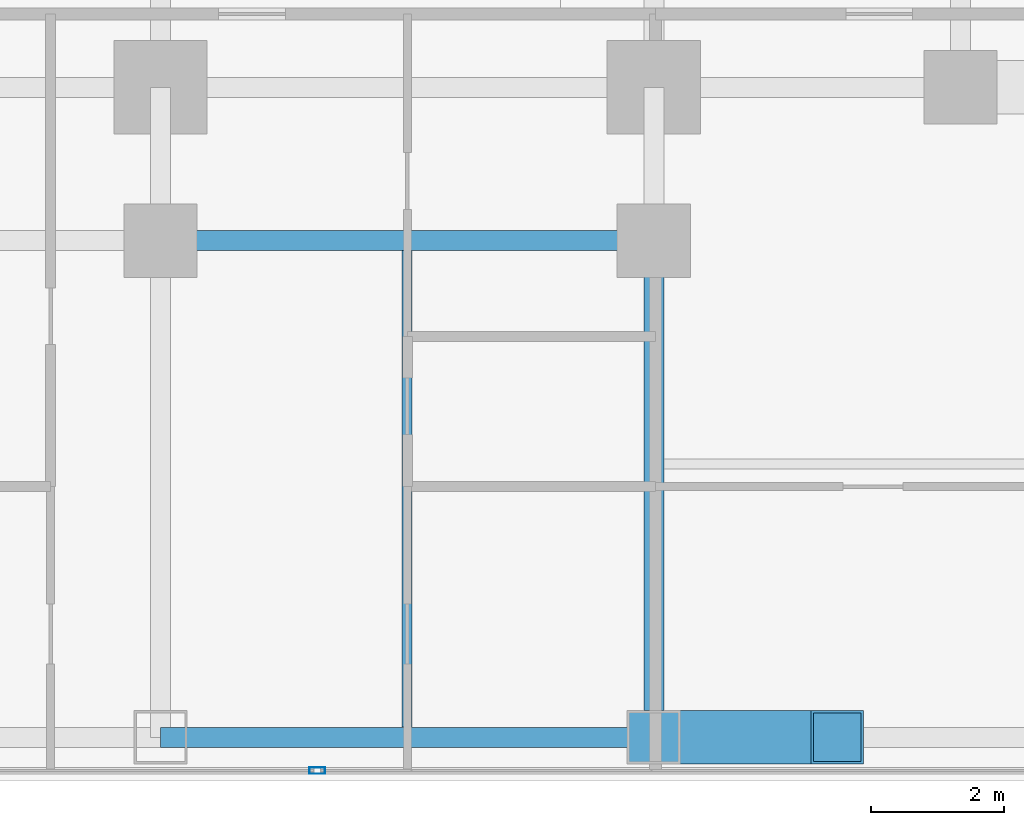
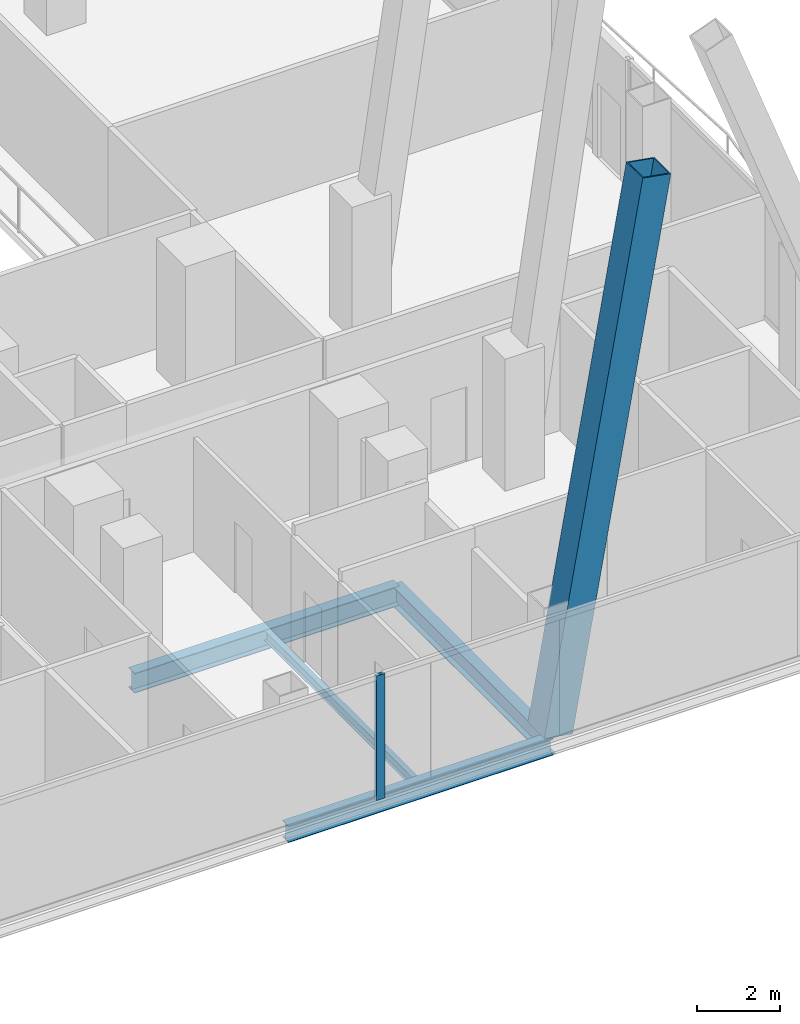
# One storey, part 9 of 33: 4 beams, 2 members, 1 element without a shape of its own.
"""IFC4 building model written with IfcOpenShell, lengths in metres."""

from ifc_helpers import new_model, si_unit, direction, frame, origin, origin_2d, place, context, subcontext, project, spatial, hollow_rectangle, i_section, extrude, material, layer, layer_set, material_profile, profile_set, type_object, element, aggregate, save


model = new_model("IFC4")

# Units and contexts
model_context = context("Model", 3, precision=1e-05, world=origin(), true_north=direction((0.0, 1.0)))
body_context = subcontext(model_context, "Body", "Model", "MODEL_VIEW")
ifc_project = project(units=[si_unit("LENGTHUNIT", "METRE"), si_unit("AREAUNIT", "SQUARE_METRE"), si_unit("VOLUMEUNIT", "CUBIC_METRE"), si_unit("PLANEANGLEUNIT", "RADIAN"), si_unit("MASSUNIT", "GRAM", prefix="KILO")], contexts=[model_context])

# Site, building, storey
site_placement = place(None, origin())
site = spatial("IfcSite", under=ifc_project, at=site_placement, CompositionType="ELEMENT")
building_placement = place(site_placement, origin())
building = spatial("IfcBuilding", under=site, at=building_placement, Name="Khorvyn Point Tower", CompositionType="ELEMENT")
storey_placement = place(building_placement, frame((0.0, 0.0, 38.39990234375)))
storey = spatial("IfcBuildingStorey", under=building, at=storey_placement, Name="L10", CompositionType="ELEMENT", Elevation=38.39990234375)

# Curtain wall, member
ifc_material_1 = material(Name="Anodised aluminium 6063-T6 and laminated Low-E glass", Category="aluminium")
ifc_layer = layer(ifc_material_1, 0.18994140625)
ifc_layer_set = layer_set([ifc_layer], Name="Stick-Built Finned Residential Curtain Wall CW-SYS-02")
curtain_wall_type = type_object("IfcCurtainWallType", Name="Stick-Built Finned Residential Curtain Wall CW-SYS-02", PredefinedType="NOTDEFINED", material=ifc_layer_set)
curtain_wall_placement = place(storey_placement, origin())
curtain_wall = element("IfcCurtainWall", 1, at=curtain_wall_placement, inside=storey, type_object=curtain_wall_type, Name="Curtain Wall", PredefinedType="NOTDEFINED")
ifc_material_2 = material(Name="Anodised aluminium 6063-T6", Category="aluminium")
ifc_material_profile_1 = material_profile(ifc_material_2, hollow_rectangle(XDim=0.10009765625, YDim=0.239990234375, WallThickness=0.0048828125, at=origin_2d()))
ifc_profile_set_1 = profile_set([ifc_material_profile_1], Name="Anodised aluminium 6063-T6 ALU-MUL-100x240")
member_type_1 = type_object("IfcMemberType", Name="Anodised Aluminium 6063-T6 Mullion ALU-MUL-100x240", PredefinedType="MULLION", material=ifc_profile_set_1)
member_1_placement = place(storey_placement, frame((9.75, -25.050048828125, 0.0), z_axis=(0.0, 0.0, 1.0), x_axis=(0.0, -1.0, 0.0)))
member_1 = element("IfcMember", 2, at=member_1_placement, type_object=member_type_1, Name="Transom", PredefinedType="MULLION", context=body_context, shape_type="SweptSolid", body=[
    extrude(hollow_rectangle(XDim=0.10009765625, YDim=0.239990234375, WallThickness=0.0048828125, at=origin_2d()), origin(), (0.0, 0.0, 1.0), 3.68017578125),
])
aggregate(curtain_wall, [member_1])

# Beams
ifc_material_3 = material(Name="Steel S355", Category="steel")
ifc_material_profile_2 = material_profile(ifc_material_3, i_section(OverallWidth=0.300048828125, OverallDepth=0.587890625, WebThickness=0.011962890625, FlangeThickness=0.02001953125, at=origin_2d()))
ifc_profile_set_2 = profile_set([ifc_material_profile_2], Name="Steel S355 H588x300x12x20")
beam_type_1 = type_object("IfcBeamType", Name="Steel S355 Beam H588x300x12x20", PredefinedType="BEAM", material=ifc_profile_set_2)
beam_1_placement = place(storey_placement, frame((7.39990234375, -17.10009765625, -0.513916015625), z_axis=(1.0, 0.0, 0.0), x_axis=(0.0, 1.0, 0.0)))
element("IfcBeam", 3, at=beam_1_placement, inside=storey, type_object=beam_type_1, Name="Beam", PredefinedType="BEAM", context=body_context, shape_type="SweptSolid", body=[
    extrude(i_section(OverallWidth=0.300048828125, OverallDepth=0.587890625, WebThickness=0.011962890625, FlangeThickness=0.02001953125, at=origin_2d()), origin(), (0.0, 0.0, 1.0), 7.400146484375),
])
beam_2_placement = place(storey_placement, frame((14.800048828125, -24.550048828125, -0.513916015625), z_axis=(0.0, 1.0, 0.0), x_axis=(-1.0, 0.0, 0.0)))
element("IfcBeam", 4, at=beam_2_placement, inside=storey, type_object=beam_type_1, Name="Beam", PredefinedType="BEAM", context=body_context, shape_type="SweptSolid", body=[
    extrude(i_section(OverallWidth=0.300048828125, OverallDepth=0.587890625, WebThickness=0.011962890625, FlangeThickness=0.02001953125, at=origin_2d()), origin(), (0.0, 0.0, 1.0), 7.449951171875),
])
ifc_material_profile_3 = material_profile(ifc_material_3, i_section(OverallWidth=0.14990234375, OverallDepth=0.300048828125, WebThickness=0.006591796875, FlangeThickness=0.009033203125, at=origin_2d()))
ifc_profile_set_3 = profile_set([ifc_material_profile_3], Name="Steel S355 H300x150x6.5x9")
beam_type_2 = type_object("IfcBeamType", Name="Steel S355 Joist H300x150x6.5x9", PredefinedType="JOIST", material=ifc_profile_set_3)
beam_3_placement = place(storey_placement, frame((11.10009765625, -24.39990234375, -0.369873046875), z_axis=(0.0, 1.0, 0.0), x_axis=(-1.0, 0.0, 0.0)))
element("IfcBeam", 5, at=beam_3_placement, inside=storey, type_object=beam_type_2, Name="Beam", PredefinedType="JOIST", context=body_context, shape_type="SweptSolid", body=[
    extrude(i_section(OverallWidth=0.14990234375, OverallDepth=0.300048828125, WebThickness=0.006591796875, FlangeThickness=0.009033203125, at=origin_2d()), origin(), (0.0, 0.0, 1.0), 7.14990234375),
])
ifc_material_profile_4 = material_profile(ifc_material_3, i_section(OverallWidth=0.300048828125, OverallDepth=0.488037109375, WebThickness=0.010986328125, FlangeThickness=0.01806640625, at=origin_2d()))
ifc_profile_set_4 = profile_set([ifc_material_profile_4], Name="Steel S355 H488x300x11x18")
beam_type_3 = type_object("IfcBeamType", Name="Steel S355 Spandrel H488x300x11x18", PredefinedType="SPANDREL", material=ifc_profile_set_4)
beam_4_placement = place(storey_placement, frame((7.39990234375, -24.550048828125, -0.4638671875), z_axis=(1.0, 0.0, 0.0), x_axis=(0.0, 1.0, 0.0)))
element("IfcBeam", 6, at=beam_4_placement, inside=storey, type_object=beam_type_3, Name="Beam", PredefinedType="SPANDREL", context=body_context, shape_type="SweptSolid", body=[
    extrude(i_section(OverallWidth=0.300048828125, OverallDepth=0.488037109375, WebThickness=0.010986328125, FlangeThickness=0.01806640625, at=origin_2d()), origin(), (0.0, 0.0, 1.0), 7.400146484375),
])

# Member
ifc_material_4 = material(Name="Steel S450", Category="steel")
ifc_material_profile_5 = material_profile(ifc_material_4, hollow_rectangle(XDim=0.800048828125, YDim=0.800048828125, WallThickness=0.035888671875, at=origin_2d()))
ifc_profile_set_5 = profile_set([ifc_material_profile_5], Name="Steel S450 BOX800x800x36")
member_type_2 = type_object("IfcMemberType", Name="Steel S450 Exoskeleton Structural Post BOX800x800x36", PredefinedType="POST", material=ifc_profile_set_5)
member_2_placement = place(storey_placement, frame((14.800048828125, -24.550048828125, 0.0), z_axis=(0.173604210519, 0.0, 0.984815504595), x_axis=(0.0, 1.0, 0.0)))
element("IfcMember", 7, at=member_2_placement, inside=storey, type_object=member_type_2, Name="L10 to L14 Exoskeleton Transfer Post 02", PredefinedType="POST", context=body_context, shape_type="SweptSolid", body=[
    extrude(hollow_rectangle(XDim=0.800048828125, YDim=0.800048828125, WallThickness=0.035888671875, at=origin_2d()), origin(), (0.0, 0.0, 1.0), 15.840576171875),
])

save(model, "model.ifc")
